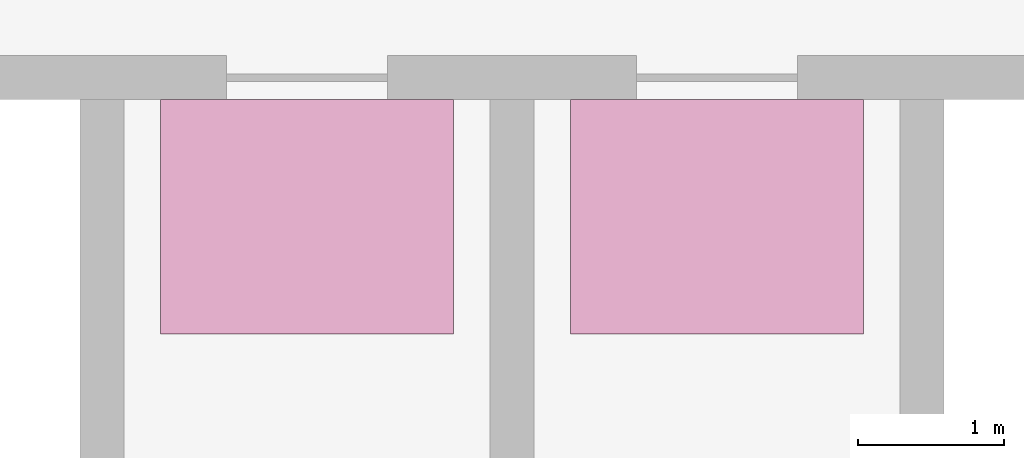
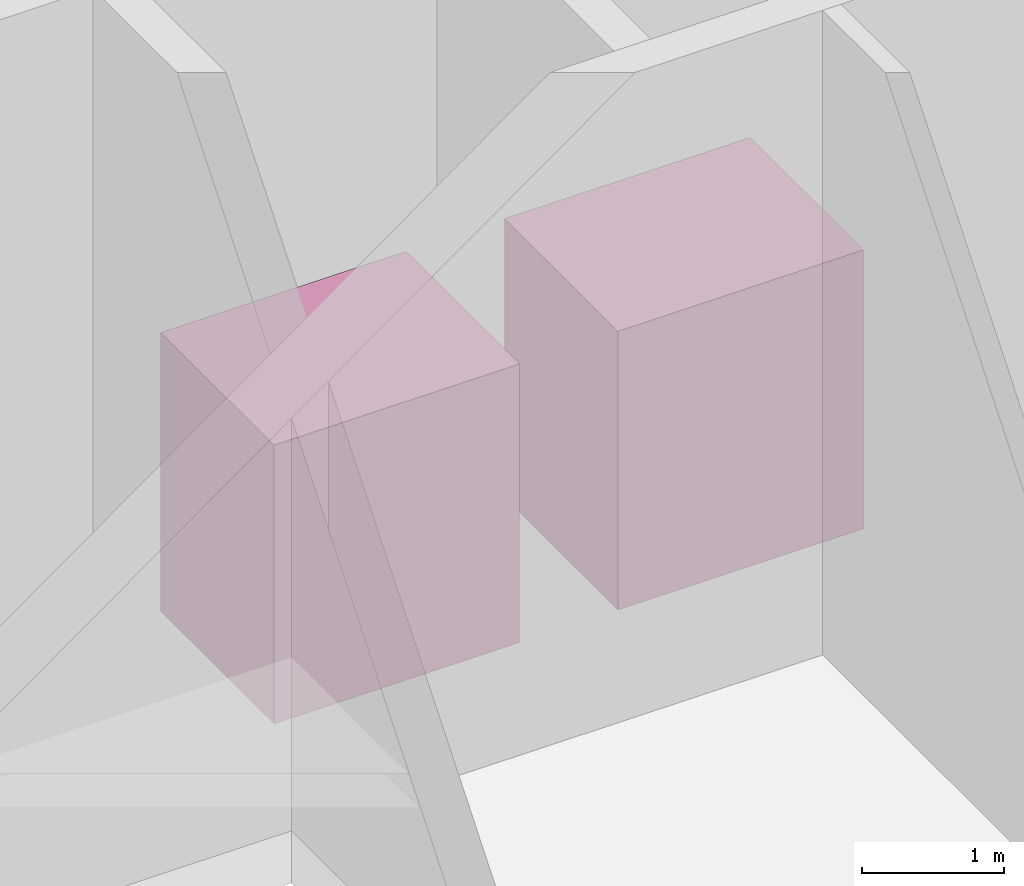
# One storey, part 10 of 10: 2 transport elements.
"""IFC4 building model written with IfcOpenShell, lengths in metres."""

from ifc_helpers import new_model, si_unit, direction, frame, origin, origin_2d, place, context, subcontext, project, spatial, rectangle, extrude, material, type_object, element, save


model = new_model("IFC4")

# Units and contexts
model_context = context("Model", 3, precision=1e-05, world=origin(), true_north=direction((0.0, 1.0)))
body_context = subcontext(model_context, "Body", "Model", "MODEL_VIEW")
ifc_project = project(units=[si_unit("LENGTHUNIT", "METRE"), si_unit("AREAUNIT", "SQUARE_METRE"), si_unit("VOLUMEUNIT", "CUBIC_METRE"), si_unit("PLANEANGLEUNIT", "RADIAN"), si_unit("MASSUNIT", "GRAM", prefix="KILO")], contexts=[model_context])

# Site, building, storey
site_placement = place(None, origin())
site = spatial("IfcSite", under=ifc_project, at=site_placement, CompositionType="ELEMENT")
building_placement = place(site_placement, origin())
building = spatial("IfcBuilding", under=site, at=building_placement, Name="Calvaro Tower", CompositionType="ELEMENT")
storey_placement = place(building_placement, frame((0.0, 0.0, -6.0)))
storey = spatial("IfcBuildingStorey", under=building, at=storey_placement, Name="B1", CompositionType="ELEMENT", Elevation=-6.0)

# Transport elements
ifc_material = material(Name="Stainless steel", Category="steel")
transport_element_type = type_object("IfcTransportElementType", Name="Podium lift PD 2000 by 1600", PredefinedType="ELEVATOR", material=ifc_material)
for number, where, z_axis, x_axis, name in (
    (1, (65.75, 36.5, 0.0), (0.0, 0.0, 1.0), (1.0, 0.0, 0.0), "PD1"),
    (2, (68.550048828125, 36.5, 0.0), (0.0, 0.0, 1.0), (1.0, 0.0, 0.0), "PD2"),
):
    element("IfcTransportElement", number, at=place(storey_placement, frame(where, z_axis=z_axis, x_axis=x_axis)), inside=storey, type_object=transport_element_type, Name=name, PredefinedType="ELEVATOR", context=body_context, shape_type="SweptSolid", body=[
        extrude(rectangle(XDim=2.0, YDim=1.60009765625, at=origin_2d()), origin(), (0.0, 0.0, 1.0), 2.39990234375),
    ])

save(model, "model.ifc")
